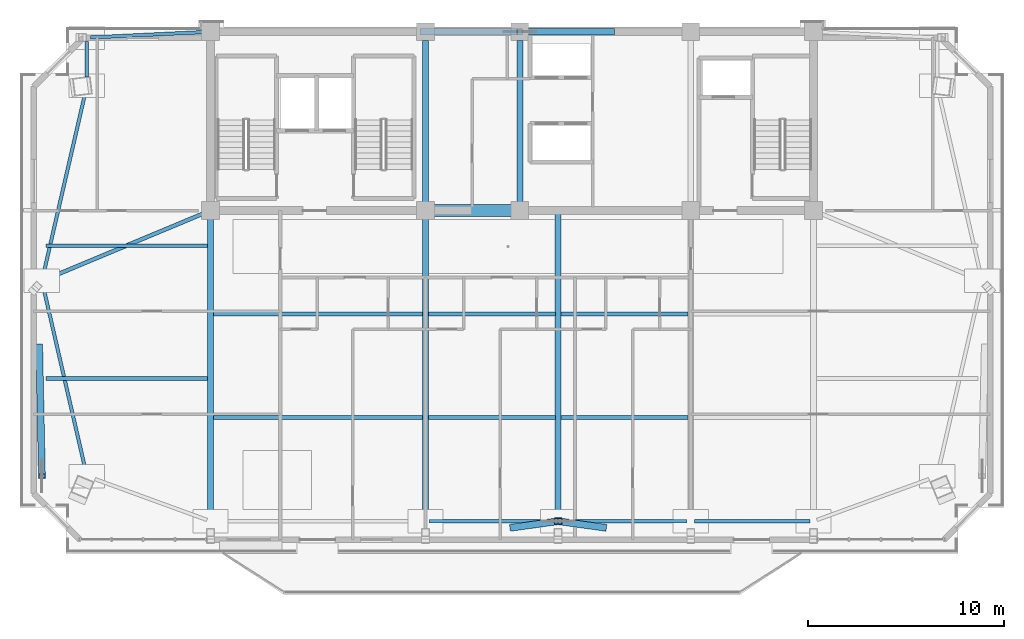
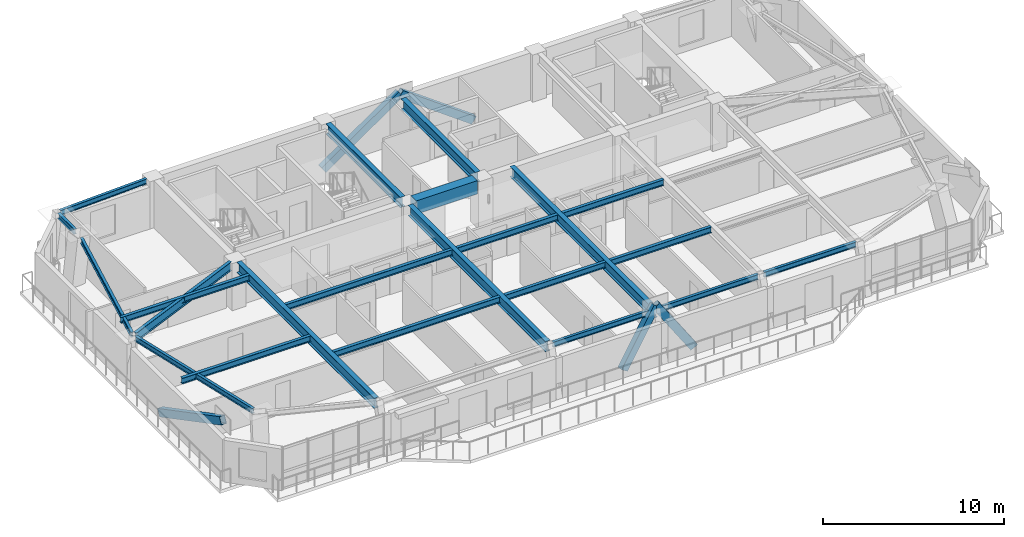
# One storey, part 3 of 14: 22 beams, 5 members.
"""IFC4 building model written with IfcOpenShell, lengths in metres."""

from ifc_helpers import new_model, si_unit, direction, frame, origin, origin_2d, place, context, subcontext, project, spatial, rectangle, hollow_rectangle, i_section, extrude, source, transform, mapped, material, material_profile, profile_set, type_object, element, save


model = new_model("IFC4")

# Units and contexts
model_context = context("Model", 3, precision=1e-05, world=origin(), true_north=direction((0.0, 1.0)))
body_context = subcontext(model_context, "Body", "Model", "MODEL_VIEW")
ifc_project = project(units=[si_unit("LENGTHUNIT", "METRE"), si_unit("AREAUNIT", "SQUARE_METRE"), si_unit("VOLUMEUNIT", "CUBIC_METRE"), si_unit("PLANEANGLEUNIT", "RADIAN"), si_unit("MASSUNIT", "GRAM", prefix="KILO")], contexts=[model_context])

# Site, building, storey
site_placement = place(None, origin())
site = spatial("IfcSite", under=ifc_project, at=site_placement, CompositionType="ELEMENT")
building_placement = place(site_placement, origin())
building = spatial("IfcBuilding", under=site, at=building_placement, Name="Giltprow Tower", CompositionType="ELEMENT")
storey_placement = place(building_placement, frame((0.0, 0.0, 321.0)))
storey = spatial("IfcBuildingStorey", under=building, at=storey_placement, Name="L83", CompositionType="ELEMENT", Elevation=321.0)

# Beams
ifc_material_1 = material(Name="Structural steel Q355B", Category="steel")
ifc_material_profile_1 = material_profile(ifc_material_1, i_section(OverallWidth=0.199951171875, OverallDepth=0.39990234375, WebThickness=0.008056640625, FlangeThickness=0.012939453125, at=origin_2d()), Name="HN 400x200x8x13")
ifc_profile_set_1 = profile_set([ifc_material_profile_1], Name="Structural steel Q355B")
beam_type_1 = type_object("IfcBeamType", Name="BM-JOIST-HN400", PredefinedType="JOIST", material=ifc_profile_set_1)
shared_shape_1 = source(origin(), body_context, "Body", "SweptSolid", [
    extrude(i_section(OverallWidth=0.199951171875, OverallDepth=0.39990234375, WebThickness=0.008056640625, FlangeThickness=0.012939453125, at=origin_2d()), origin(), (0.0, 0.0, 1.0), 10.659912109375),
])
for number, where, z_axis, x_axis, name in (
    (1, (19.9951171875, 26.906982421875, 2.985107421875), (1.0, 0.0, 0.0), (0.0, 1.0, 0.0), "L83 Composite Floor Joist 1-1"),
    (2, (19.9951171875, 32.178955078125, 2.985107421875), (1.0, 0.0, 0.0), (0.0, 1.0, 0.0), "L83 Composite Floor Joist 2-1"),
):
    element("IfcBeam", number, at=place(storey_placement, frame(where, z_axis=z_axis, x_axis=x_axis)), inside=storey, type_object=beam_type_1, Name=name, PredefinedType="JOIST", context=body_context, shape_type="MappedRepresentation", body=[
        mapped(shared_shape_1, transform((0.0, 0.0, 0.0), x_axis=(1.0, 0.0, 0.0), y_axis=(0.0, 1.0, 0.0), z_axis=(0.0, 0.0, 1.0), scale=1.0)),
    ])
shared_shape_2 = source(origin(), body_context, "Body", "SweptSolid", [
    extrude(i_section(OverallWidth=0.199951171875, OverallDepth=0.39990234375, WebThickness=0.008056640625, FlangeThickness=0.012939453125, at=origin_2d()), origin(), (0.0, 0.0, 1.0), 6.4599609375),
])
for number, where, z_axis, x_axis, name in (
    (3, (30.945068359375, 26.906982421875, 2.985107421875), (1.0, 0.0, 0.0), (0.0, 1.0, 0.0), "L83 Composite Floor Joist 1-2"),
    (4, (37.695068359375, 26.906982421875, 2.985107421875), (1.0, 0.0, 0.0), (0.0, 1.0, 0.0), "L83 Composite Floor Joist 1-3"),
    (5, (30.945068359375, 32.178955078125, 2.985107421875), (1.0, 0.0, 0.0), (0.0, 1.0, 0.0), "L83 Composite Floor Joist 2-2"),
    (6, (37.695068359375, 32.178955078125, 2.985107421875), (1.0, 0.0, 0.0), (0.0, 1.0, 0.0), "L83 Composite Floor Joist 2-3"),
):
    element("IfcBeam", number, at=place(storey_placement, frame(where, z_axis=z_axis, x_axis=x_axis)), inside=storey, type_object=beam_type_1, Name=name, PredefinedType="JOIST", context=body_context, shape_type="MappedRepresentation", body=[
        mapped(shared_shape_2, transform((0.0, 0.0, 0.0), x_axis=(1.0, 0.0, 0.0), y_axis=(0.0, 1.0, 0.0), z_axis=(0.0, 0.0, 1.0), scale=1.0)),
    ])
ifc_material_2 = material(Name="Concrete C50", Category="concrete")
ifc_material_profile_2 = material_profile(ifc_material_2, rectangle(XDim=0.60009765625, YDim=0.89990234375, at=origin_2d()), Name="RC 900x600")
ifc_profile_set_2 = profile_set([ifc_material_profile_2], Name="Concrete C50")
beam_type_2 = type_object("IfcBeamType", Name="BM-CPL-RC900", PredefinedType="LINTEL", material=ifc_profile_set_2)
shared_shape_3 = source(origin(), body_context, "Body", "SweptSolid", [
    extrude(rectangle(XDim=0.60009765625, YDim=0.89990234375, at=origin_2d()), origin(), (0.0, 0.0, 1.0), 3.929931640625),
])
beam_1_placement = place(storey_placement, frame((31.235107421875, 37.449951171875, 2.735107421875), z_axis=(1.0, 0.0, 0.0), x_axis=(0.0, 1.0, 0.0)))
element("IfcBeam", 7, at=beam_1_placement, inside=storey, type_object=beam_type_2, Name="L83 Core Coupling Beam CB-1", PredefinedType="LINTEL", context=body_context, shape_type="MappedRepresentation", body=[
    mapped(shared_shape_3, transform((0.0, 0.0, 0.0), x_axis=(1.0, 0.0, 0.0), y_axis=(0.0, 1.0, 0.0), z_axis=(0.0, 0.0, 1.0), scale=1.0)),
])
ifc_material_profile_3 = material_profile(ifc_material_1, i_section(OverallWidth=0.300048828125, OverallDepth=0.699951171875, WebThickness=0.012939453125, FlangeThickness=0.02392578125, at=origin_2d()), Name="HN 700x300x13x24")
ifc_profile_set_3 = profile_set([ifc_material_profile_3], Name="Structural steel Q355B")
beam_type_3 = type_object("IfcBeamType", Name="BM-GIRD-HN700", PredefinedType="BEAM", material=ifc_profile_set_3)
shared_shape_4 = source(origin(), body_context, "Body", "SweptSolid", [
    extrude(i_section(OverallWidth=0.300048828125, OverallDepth=0.699951171875, WebThickness=0.012939453125, FlangeThickness=0.02392578125, at=origin_2d()), origin(), (0.0, 0.0, 1.0), 8.22998046875),
])
for number, where, z_axis, x_axis, name in (
    (8, (30.800048828125, 37.885009765625, 2.8349609375), (0.0, 1.0, 0.0), (-1.0, 0.0, 0.0), "L83 Core Tie Girder M1"),
    (9, (35.60009765625, 37.885009765625, 2.8349609375), (0.0, 1.0, 0.0), (-1.0, 0.0, 0.0), "L83 Core Tie Girder M2"),
):
    element("IfcBeam", number, at=place(storey_placement, frame(where, z_axis=z_axis, x_axis=x_axis)), inside=storey, type_object=beam_type_3, Name=name, PredefinedType="BEAM", context=body_context, shape_type="MappedRepresentation", body=[
        mapped(shared_shape_4, transform((0.0, 0.0, 0.0), x_axis=(1.0, 0.0, 0.0), y_axis=(0.0, 1.0, 0.0), z_axis=(0.0, 0.0, 1.0), scale=1.0)),
    ])
ifc_material_profile_4 = material_profile(ifc_material_1, i_section(OverallWidth=0.175048828125, OverallDepth=0.35009765625, WebThickness=0.007080078125, FlangeThickness=0.010986328125, at=origin_2d()), Name="HN 350x175x7x11")
ifc_profile_set_4 = profile_set([ifc_material_profile_4], Name="Structural steel Q355B")
beam_type_4 = type_object("IfcBeamType", Name="BM-SPAN-HN350", PredefinedType="SPANDREL", material=ifc_profile_set_4)
shared_shape_5 = source(origin(), body_context, "Body", "SweptSolid", [
    extrude(i_section(OverallWidth=0.175048828125, OverallDepth=0.35009765625, WebThickness=0.007080078125, FlangeThickness=0.010986328125, at=origin_2d()), origin(), (0.0, 0.0, 1.0), 6.3798828125),
])
for number, where, z_axis, x_axis, name in (
    (10, (30.985107421875, 21.635986328125, 3.010009765625), (1.0, 0.0, 0.0), (0.0, 1.0, 0.0), "L83 Perimeter Spandrel Beam S2-S_MID"),
    (11, (37.735107421875, 21.635986328125, 3.010009765625), (1.0, 0.0, 0.0), (0.0, 1.0, 0.0), "L83 Perimeter Spandrel Beam S_MID-S3"),
):
    element("IfcBeam", number, at=place(storey_placement, frame(where, z_axis=z_axis, x_axis=x_axis)), inside=storey, type_object=beam_type_4, Name=name, PredefinedType="SPANDREL", context=body_context, shape_type="MappedRepresentation", body=[
        mapped(shared_shape_5, transform((0.0, 0.0, 0.0), x_axis=(1.0, 0.0, 0.0), y_axis=(0.0, 1.0, 0.0), z_axis=(0.0, 0.0, 1.0), scale=1.0)),
    ])
shared_shape_6 = source(origin(), body_context, "Body", "SweptSolid", [
    extrude(i_section(OverallWidth=0.175048828125, OverallDepth=0.35009765625, WebThickness=0.007080078125, FlangeThickness=0.010986328125, at=origin_2d()), origin(), (0.0, 0.0, 1.0), 5.8798828125),
])
beam_2_placement = place(storey_placement, frame((44.485107421875, 21.635986328125, 3.010009765625), z_axis=(1.0, 0.0, 0.0), x_axis=(0.0, 1.0, 0.0)))
element("IfcBeam", 12, at=beam_2_placement, inside=storey, type_object=beam_type_4, Name="L83 Perimeter Spandrel Beam S3-S4", PredefinedType="SPANDREL", context=body_context, shape_type="MappedRepresentation", body=[
    mapped(shared_shape_6, transform((0.0, 0.0, 0.0), x_axis=(1.0, 0.0, 0.0), y_axis=(0.0, 1.0, 0.0), z_axis=(0.0, 0.0, 1.0), scale=1.0)),
])
shared_shape_7 = source(origin(), body_context, "Body", "SweptSolid", [
    extrude(i_section(OverallWidth=0.175048828125, OverallDepth=0.35009765625, WebThickness=0.007080078125, FlangeThickness=0.010986328125, at=origin_2d()), origin(), (0.0, 0.0, 1.0), 9.580810546875),
])
for number, where, z_axis, x_axis, name in (
    (13, (13.464111328125, 43.384033203125, 3.010009765625), (-0.224626866527, -0.974444852639, 0.0), (0.974444852639, -0.224626866527, 0.0), "L83 Perimeter Spandrel Beam MC_NW-W_MID"),
    (14, (11.31201171875, 33.68798828125, 3.010009765625), (0.224626866527, -0.974444852639, 0.0), (0.974444852639, 0.224626866527, 0.0), "L83 Perimeter Spandrel Beam W_MID-MC_SW"),
):
    element("IfcBeam", number, at=place(storey_placement, frame(where, z_axis=z_axis, x_axis=x_axis)), inside=storey, type_object=beam_type_4, Name=name, PredefinedType="SPANDREL", context=body_context, shape_type="MappedRepresentation", body=[
        mapped(shared_shape_7, transform((0.0, 0.0, 0.0), x_axis=(1.0, 0.0, 0.0), y_axis=(0.0, 1.0, 0.0), z_axis=(0.0, 0.0, 1.0), scale=1.0)),
    ])
shared_shape_8 = source(origin(), body_context, "Body", "SweptSolid", [
    extrude(i_section(OverallWidth=0.175048828125, OverallDepth=0.35009765625, WebThickness=0.007080078125, FlangeThickness=0.010986328125, at=origin_2d()), origin(), (0.0, 0.0, 1.0), 1.822021484375),
])
beam_3_placement = place(storey_placement, frame((13.56201171875, 46.06494140625, 3.010009765625), z_axis=(0.0, -1.0, 0.0), x_axis=(1.0, 0.0, 0.0)))
element("IfcBeam", 15, at=beam_3_placement, inside=storey, type_object=beam_type_4, Name="L83 Perimeter Spandrel Beam N_W-MC_NW", PredefinedType="SPANDREL", context=body_context, shape_type="MappedRepresentation", body=[
    mapped(shared_shape_8, transform((0.0, 0.0, 0.0), x_axis=(1.0, 0.0, 0.0), y_axis=(0.0, 1.0, 0.0), z_axis=(0.0, 0.0, 1.0), scale=1.0)),
])
shared_shape_9 = source(origin(), body_context, "Body", "SweptSolid", [
    extrude(i_section(OverallWidth=0.175048828125, OverallDepth=0.35009765625, WebThickness=0.007080078125, FlangeThickness=0.010986328125, at=origin_2d()), origin(), (0.0, 0.0, 1.0), 5.67431640625),
])
beam_4_placement = place(storey_placement, frame((13.7470703125, 46.259033203125, 3.010009765625), z_axis=(0.9988671641, 0.047585591122, 0.0), x_axis=(-0.047585591122, 0.9988671641, 0.0)))
element("IfcBeam", 16, at=beam_4_placement, inside=storey, type_object=beam_type_4, Name="L83 North Wing Spandrel W", PredefinedType="SPANDREL", context=body_context, shape_type="MappedRepresentation", body=[
    mapped(shared_shape_9, transform((0.0, 0.0, 0.0), x_axis=(1.0, 0.0, 0.0), y_axis=(0.0, 1.0, 0.0), z_axis=(0.0, 0.0, 1.0), scale=1.0)),
])
shared_shape_10 = source(origin(), body_context, "Body", "SweptSolid", [
    extrude(i_section(OverallWidth=0.300048828125, OverallDepth=0.699951171875, WebThickness=0.012939453125, FlangeThickness=0.02392578125, at=origin_2d()), origin(), (0.0, 0.0, 1.0), 15.19384765625),
])
for number, where, z_axis, x_axis, name in (
    (17, (19.85009765625, 21.821044921875, 2.8349609375), (0.0, 1.0, 0.0), (-1.0, 0.0, 0.0), "L83 Primary Lease Girder S1"),
    (18, (30.800048828125, 21.821044921875, 2.8349609375), (0.0, 1.0, 0.0), (-1.0, 0.0, 0.0), "L83 Primary Lease Girder S2"),
):
    element("IfcBeam", number, at=place(storey_placement, frame(where, z_axis=z_axis, x_axis=x_axis)), inside=storey, type_object=beam_type_3, Name=name, PredefinedType="BEAM", context=body_context, shape_type="MappedRepresentation", body=[
        mapped(shared_shape_10, transform((0.0, 0.0, 0.0), x_axis=(1.0, 0.0, 0.0), y_axis=(0.0, 1.0, 0.0), z_axis=(0.0, 0.0, 1.0), scale=1.0)),
    ])
shared_shape_11 = source(origin(), body_context, "Body", "SweptSolid", [
    extrude(i_section(OverallWidth=0.300048828125, OverallDepth=0.699951171875, WebThickness=0.012939453125, FlangeThickness=0.02392578125, at=origin_2d()), origin(), (0.0, 0.0, 1.0), 15.81396484375),
])
beam_5_placement = place(storey_placement, frame((37.550048828125, 21.635986328125, 2.8349609375), z_axis=(0.0, 1.0, 0.0), x_axis=(-1.0, 0.0, 0.0)))
element("IfcBeam", 19, at=beam_5_placement, inside=storey, type_object=beam_type_3, Name="L83 Central Lease Girder SMID", PredefinedType="BEAM", context=body_context, shape_type="MappedRepresentation", body=[
    mapped(shared_shape_11, transform((0.0, 0.0, 0.0), x_axis=(1.0, 0.0, 0.0), y_axis=(0.0, 1.0, 0.0), z_axis=(0.0, 0.0, 1.0), scale=1.0)),
])
ifc_material_profile_5 = material_profile(ifc_material_1, i_section(OverallWidth=0.199951171875, OverallDepth=0.60009765625, WebThickness=0.010986328125, FlangeThickness=0.01708984375, at=origin_2d()), Name="HN 600x200x11x17")
ifc_profile_set_5 = profile_set([ifc_material_profile_5], Name="Structural steel Q355B")
beam_type_5 = type_object("IfcBeamType", Name="BM-GIRD-HN600", PredefinedType="BEAM", material=ifc_profile_set_5)
shared_shape_12 = source(origin(), body_context, "Body", "SweptSolid", [
    extrude(i_section(OverallWidth=0.199951171875, OverallDepth=0.60009765625, WebThickness=0.010986328125, FlangeThickness=0.01708984375, at=origin_2d()), origin(), (0.0, 0.0, 1.0), 8.677734375),
])
beam_6_placement = place(storey_placement, frame((11.44091796875, 33.93896484375, 2.885009765625), z_axis=(0.922817849447, 0.385236572436, 0.0), x_axis=(-0.385236572436, 0.922817849447, 0.0)))
element("IfcBeam", 20, at=beam_6_placement, inside=storey, type_object=beam_type_5, Name="L83 West Wing Primary Girder", PredefinedType="BEAM", context=body_context, shape_type="MappedRepresentation", body=[
    mapped(shared_shape_12, transform((0.0, 0.0, 0.0), x_axis=(1.0, 0.0, 0.0), y_axis=(0.0, 1.0, 0.0), z_axis=(0.0, 0.0, 1.0), scale=1.0)),
])
shared_shape_13 = source(origin(), body_context, "Body", "SweptSolid", [
    extrude(i_section(OverallWidth=0.199951171875, OverallDepth=0.39990234375, WebThickness=0.008056640625, FlangeThickness=0.012939453125, at=origin_2d()), origin(), (0.0, 0.0, 1.0), 8.215087890625),
])
for number, where, z_axis, x_axis, name in (
    (21, (11.489990234375, 28.89794921875, 2.985107421875), (1.0, 0.0, 0.0), (0.0, 1.0, 0.0), "L83 West Wing Floor Joist 1"),
    (22, (11.489990234375, 35.658935546875, 2.985107421875), (1.0, 0.0, 0.0), (0.0, 1.0, 0.0), "L83 West Wing Floor Joist 2"),
):
    element("IfcBeam", number, at=place(storey_placement, frame(where, z_axis=z_axis, x_axis=x_axis)), inside=storey, type_object=beam_type_1, Name=name, PredefinedType="JOIST", context=body_context, shape_type="MappedRepresentation", body=[
        mapped(shared_shape_13, transform((0.0, 0.0, 0.0), x_axis=(1.0, 0.0, 0.0), y_axis=(0.0, 1.0, 0.0), z_axis=(0.0, 0.0, 1.0), scale=1.0)),
    ])

# Members
ifc_material_3 = material(Name="Structural steel Q420GJC", Category="steel")
ifc_material_profile_6 = material_profile(ifc_material_3, hollow_rectangle(XDim=0.35009765625, YDim=0.5, WallThickness=0.02392578125, at=origin_2d()), Name="RHS 500x350x24")
ifc_profile_set_6 = profile_set([ifc_material_profile_6], Name="Structural steel Q420GJC")
member_type = type_object("IfcMemberType", Name="MBR-MEGA-RHS500", PredefinedType="BRACE", material=ifc_profile_set_6)
shared_shape_14 = source(origin(), body_context, "Body", "SweptSolid", [
    extrude(hollow_rectangle(XDim=0.35009765625, YDim=0.5, WallThickness=0.02392578125, at=origin_2d()), origin(), (0.0, 0.0, 1.0), 4.0888671875),
])
for number, where, z_axis, x_axis, name in (
    (23, (35.300048828125, 21.324951171875, 0.0), (0.550278873645, 0.076069366865, 0.831508636543), (-0.136935639325, 0.990579946639, 0.0), "L83 Chevron Mega-Brace S-L"),
    (24, (39.800048828125, 21.324951171875, 0.0), (-0.550278873645, 0.076069366865, 0.831508636543), (-0.136935639325, -0.990579946639, 0.0), "L83 Chevron Mega-Brace S-R"),
):
    element("IfcMember", number, at=place(storey_placement, frame(where, z_axis=z_axis, x_axis=x_axis)), inside=storey, type_object=member_type, Name=name, PredefinedType="BRACE", context=body_context, shape_type="MappedRepresentation", body=[
        mapped(shared_shape_14, transform((0.0, 0.0, 0.0), x_axis=(1.0, 0.0, 0.0), y_axis=(0.0, 1.0, 0.0), z_axis=(0.0, 0.0, 1.0), scale=1.0)),
    ])
shared_shape_15 = source(origin(), body_context, "Body", "SweptSolid", [
    extrude(hollow_rectangle(XDim=0.35009765625, YDim=0.5, WallThickness=0.02392578125, at=origin_2d()), origin(), (0.0, 0.0, 1.0), 5.774169921875),
])
member_1_placement = place(storey_placement, frame((40.26708984375, 46.550048828125, -0.139892578125), z_axis=(-0.808264093398, 0.0, 0.588820138348), x_axis=(0.0, -1.0, 0.0)))
element("IfcMember", 25, at=member_1_placement, inside=storey, type_object=member_type, Name="L83 Chevron Mega-Brace N-R", PredefinedType="BRACE", context=body_context, shape_type="MappedRepresentation", body=[
    mapped(shared_shape_15, transform((0.0, 0.0, 0.0), x_axis=(1.0, 0.0, 0.0), y_axis=(0.0, 1.0, 0.0), z_axis=(0.0, 0.0, 1.0), scale=1.0)),
])
shared_shape_16 = source(origin(), body_context, "Body", "SweptSolid", [
    extrude(hollow_rectangle(XDim=0.35009765625, YDim=0.5, WallThickness=0.02392578125, at=origin_2d()), origin(), (0.0, 0.0, 1.0), 5.9912109375),
])
member_2_placement = place(storey_placement, frame((30.6669921875, 46.550048828125, -0.139892578125), z_axis=(0.823387435214, 0.0, 0.567479630941), x_axis=(0.0, 1.0, 0.0)))
element("IfcMember", 26, at=member_2_placement, inside=storey, type_object=member_type, Name="L83 Chevron Mega-Brace N-L", PredefinedType="BRACE", context=body_context, shape_type="MappedRepresentation", body=[
    mapped(shared_shape_16, transform((0.0, 0.0, 0.0), x_axis=(1.0, 0.0, 0.0), y_axis=(0.0, 1.0, 0.0), z_axis=(0.0, 0.0, 1.0), scale=1.0)),
])
shared_shape_17 = source(origin(), body_context, "Body", "SweptSolid", [
    extrude(hollow_rectangle(XDim=0.35009765625, YDim=0.5, WallThickness=0.02392578125, at=origin_2d()), origin(), (0.0, 0.0, 1.0), 7.435302734375),
])
member_3_placement = place(storey_placement, frame((11.132080078125, 30.5390625, 0.0), z_axis=(0.018551782726, -0.889139335288, 0.457260400429), x_axis=(0.999782399503, 0.020860336634, 0.0)))
element("IfcMember", 27, at=member_3_placement, inside=storey, type_object=member_type, Name="L83 Chevron Mega-Brace W-D", PredefinedType="BRACE", context=body_context, shape_type="MappedRepresentation", body=[
    mapped(shared_shape_17, transform((0.0, 0.0, 0.0), x_axis=(1.0, 0.0, 0.0), y_axis=(0.0, 1.0, 0.0), z_axis=(0.0, 0.0, 1.0), scale=1.0)),
])

save(model, "model.ifc")
